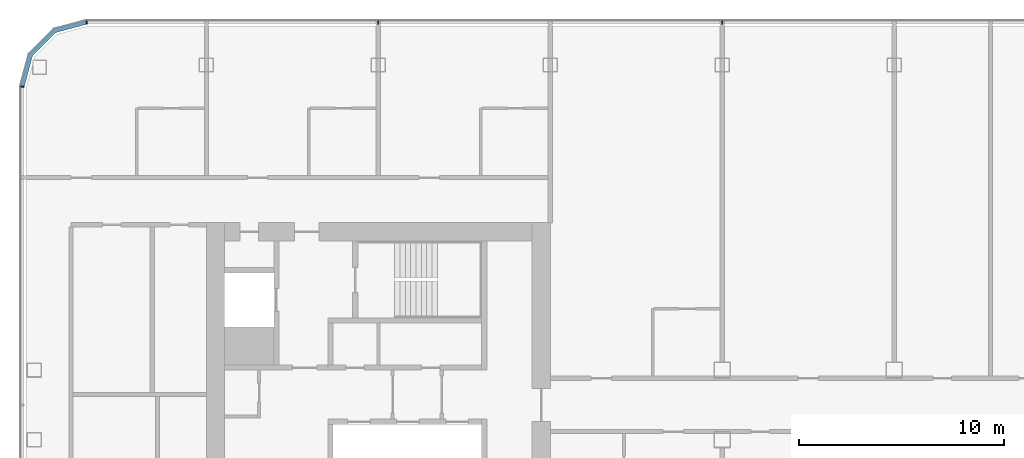
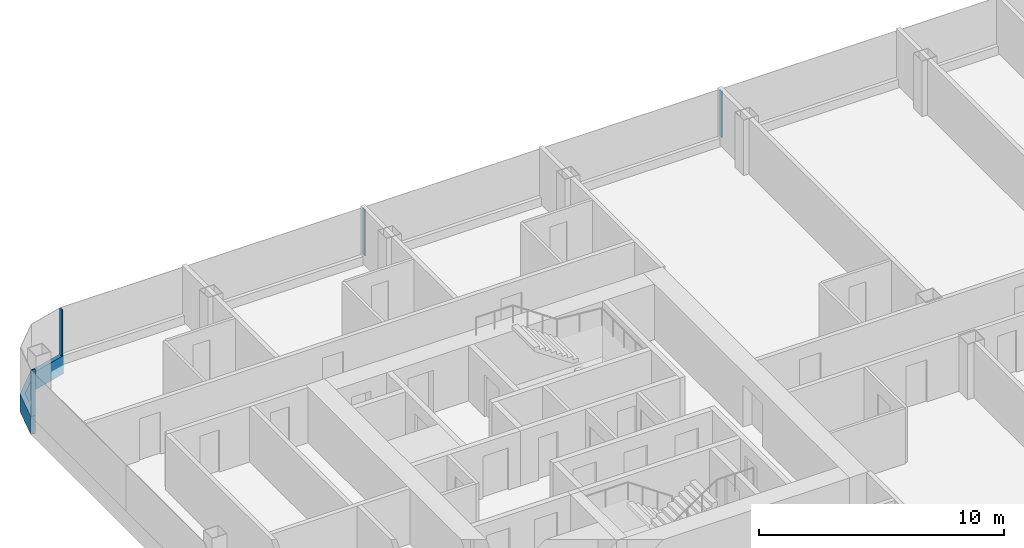
# One storey, part 6 of 25: 5 members, 3 elements without a shape of their own.
"""IFC4 building model written with IfcOpenShell, lengths in metres."""

import ifcopenshell
import ifcopenshell.guid

model = None  # the IFC model being written
_history = None  # IfcOwnerHistory: only IFC2X3 demands one
_inside = {}  # id of a spatial element -> (the spatial element, [elements in it])
_under = {}  # id of a project, library or spatial element -> (it, [spatial elements below it])
_declared = {}  # id of a project -> (the project, [libraries it declares])
_typed = {}  # id of a type object -> (the type object, [elements of that type])
_made_of = {}  # id of a material, layer set ... -> (it, [elements and type objects made of it])


def new_model(schema):
    """Start an empty IFC model of exactly this schema.

    Asked for "IFC4X3", IfcOpenShell would pick the latest addendum, in which some entities
    have other attributes; the version numbers below select the first issue.
    IFC2X3 requires an IfcOwnerHistory on every rooted entity: one is made here for all.
    """
    global model, _history
    if schema == "IFC4X3":
        model = ifcopenshell.file(schema_version=(4, 3, 0, 0))
    else:
        model = ifcopenshell.file(schema=schema)
    _inside.clear()
    _under.clear()
    _declared.clear()
    _typed.clear()
    _made_of.clear()
    _history = None
    if model.schema == "IFC2X3":
        org = make("IfcOrganization", Name="unknown")
        user = make(
            "IfcPersonAndOrganization",
            ThePerson=make("IfcPerson", FamilyName="unknown"),
            TheOrganization=org,
        )
        app = make(
            "IfcApplication",
            ApplicationDeveloper=org,
            Version="unknown",
            ApplicationFullName="unknown",
            ApplicationIdentifier="unknown",
        )
        _history = make(
            "IfcOwnerHistory",
            OwningUser=user,
            OwningApplication=app,
            ChangeAction="ADDED",
            CreationDate=0,
        )
    return model


def make(cls, **values):
    """One entity of the class cls with the attributes given. An attribute that is None is left unset."""
    return model.create_entity(
        cls, **{name: value for name, value in values.items() if value is not None}
    )


def rooted(cls, **values):
    """An entity with a GlobalId (a new one), such as an element, a storey or a relation."""
    return make(cls, GlobalId=ifcopenshell.guid.new(), OwnerHistory=_history, **values)


def si_unit(unit_type, name, prefix=None):
    """IfcSIUnit, for example si_unit("LENGTHUNIT", "METRE", prefix="MILLI")."""
    return make("IfcSIUnit", UnitType=unit_type, Prefix=prefix, Name=name)


def assignment(units):
    """IfcUnitAssignment: the units of a project."""
    return None if units is None else make("IfcUnitAssignment", Units=units)


def point(xyz):
    """IfcCartesianPoint."""
    return None if xyz is None else make("IfcCartesianPoint", Coordinates=xyz)


def direction(xyz):
    """IfcDirection."""
    return None if xyz is None else make("IfcDirection", DirectionRatios=xyz)


def frame(location, z_axis=None, x_axis=None):
    """IfcAxis2Placement3D, a coordinate frame: its origin and axes. An axis left out is left unset."""
    return make(
        "IfcAxis2Placement3D",
        Location=point(location),
        Axis=direction(z_axis),
        RefDirection=direction(x_axis),
    )


def frame_2d(location, x_axis=None):
    """IfcAxis2Placement2D, a coordinate frame in the plane: its origin and x axis."""
    return make(
        "IfcAxis2Placement2D", Location=point(location), RefDirection=direction(x_axis)
    )


def origin():
    """The frame at (0, 0, 0) with its axes left unset."""
    return frame((0.0, 0.0, 0.0))


def origin_2d():
    """The frame at (0, 0) in the plane with its x axis left unset."""
    return frame_2d((0.0, 0.0))


def place(relative_to, where):
    """IfcLocalPlacement: puts the frame where relative to a parent placement (None: the world)."""
    return make(
        "IfcLocalPlacement", PlacementRelTo=relative_to, RelativePlacement=where
    )


def context(
    kind, dimensions, precision=None, world=None, true_north=None, identifier=None
):
    """IfcGeometricRepresentationContext, for example the 3D "Model" context."""
    return make(
        "IfcGeometricRepresentationContext",
        ContextIdentifier=identifier,
        ContextType=kind,
        CoordinateSpaceDimension=dimensions,
        Precision=precision,
        WorldCoordinateSystem=world,
        TrueNorth=true_north,
    )


def subcontext(parent, identifier, kind, view, scale=None):
    """IfcGeometricRepresentationSubContext, for example "Body" below "Model"."""
    return make(
        "IfcGeometricRepresentationSubContext",
        ContextIdentifier=identifier,
        ContextType=kind,
        ParentContext=parent,
        TargetScale=scale,
        TargetView=view,
    )


def project(units=None, contexts=None):
    """IfcProject with its units and contexts."""
    return rooted(
        "IfcProject",
        Name="project",
        RepresentationContexts=contexts,
        UnitsInContext=assignment(units),
    )


def spatial(cls, under=None, at=None, **own):
    """A site, building, storey or space (cls), placed at a placement, below another one or the project."""
    s = rooted(cls, ObjectPlacement=at, **own)
    if under is not None:
        _under.setdefault(under.id(), (under, []))[1].append(s)
    return s


def polyline(points):
    """IfcPolyline through the points."""
    return make("IfcPolyline", Points=[point(p) for p in points])


def profile(cls, at=None, kind="AREA", **sizes):
    """A parametric profile (cls). Its sizes go by their IFC names, for example OverallWidth=200.0."""
    return make(cls, ProfileType=kind, Position=at, **sizes)


def rectangle(**sizes):
    """IfcRectangleProfileDef."""
    return profile("IfcRectangleProfileDef", **sizes)


def outline(outer, holes=None, kind="AREA"):
    """IfcArbitraryClosedProfileDef: a profile drawn as a closed curve; with holes, ...WithVoids."""
    if holes is None:
        return make("IfcArbitraryClosedProfileDef", ProfileType=kind, OuterCurve=outer)
    return make(
        "IfcArbitraryProfileDefWithVoids",
        ProfileType=kind,
        OuterCurve=outer,
        InnerCurves=holes,
    )


def extrude(swept, where, along, depth):
    """IfcExtrudedAreaSolid: the profile swept, set in the frame where, extruded along a direction by depth."""
    return make(
        "IfcExtrudedAreaSolid",
        SweptArea=swept,
        Position=where,
        ExtrudedDirection=direction(along),
        Depth=depth,
    )


def shape(context_of_items, identifier, shape_type, items):
    """IfcShapeRepresentation: the items that make up one representation, for example the "Body"."""
    return make(
        "IfcShapeRepresentation",
        ContextOfItems=context_of_items,
        RepresentationIdentifier=identifier,
        RepresentationType=shape_type,
        Items=items,
    )


def material(Name=None, Category=None):
    """IfcMaterial."""
    return make("IfcMaterial", Name=Name, Category=Category)


def layer(
    of_material, thickness, ventilated=None, Name=None, Category=None, Priority=None
):
    """IfcMaterialLayer: one layer of a wall or slab, of a material (None: an air gap)."""
    return make(
        "IfcMaterialLayer",
        Material=of_material,
        LayerThickness=thickness,
        IsVentilated=ventilated,
        Name=Name,
        Category=Category,
        Priority=Priority,
    )


def layer_set(layers, Name=None):
    """IfcMaterialLayerSet."""
    return make("IfcMaterialLayerSet", MaterialLayers=layers, LayerSetName=Name)


def material_profile(
    of_material, cross_section, Name=None, Category=None, Priority=None
):
    """IfcMaterialProfile: a cross section and its material."""
    return make(
        "IfcMaterialProfile",
        Name=Name,
        Material=of_material,
        Profile=cross_section,
        Priority=Priority,
        Category=Category,
    )


def profile_set(profiles, Name=None, composite=None):
    """IfcMaterialProfileSet."""
    return make(
        "IfcMaterialProfileSet",
        Name=Name,
        MaterialProfiles=profiles,
        CompositeProfile=composite,
    )


def made_of(thing, what):
    """Note that an element or type object is made of a material, layer set ...; save() writes the relation."""
    if what is not None:
        _made_of.setdefault(what.id(), (what, []))[1].append(thing)
    return thing


def type_object(cls, material=None, **own):
    """A type object (cls), such as IfcWallType, which elements share."""
    return made_of(rooted(cls, **own), material)


def element(
    cls,
    number,
    at=None,
    inside=None,
    cuts=None,
    type_object=None,
    material=None,
    context=None,
    identifier="Body",
    shape_type=None,
    held_by="IfcProductDefinitionShape",
    body=None,
    shapes=None,
    **own,
):
    """One element of the class cls, such as IfcWall. Its Tag is "e" and its number.

    at: its placement. inside: the storey or other place that contains it. cuts: it is an
    opening in that element (IfcRelVoidsElement). A single representation is given by context,
    identifier, shape_type and body (its items); several are given by shapes. held_by: the class
    of the entity that holds the representations. save() writes the other relations.
    """
    e = rooted(cls, Tag="e%d" % number, ObjectPlacement=at, **own)
    if body is not None:
        shapes = [shape(context, identifier, shape_type, body)]
    if shapes is not None:
        e.Representation = make(held_by, Representations=shapes)
    if inside is not None:
        _inside.setdefault(inside.id(), (inside, []))[1].append(e)
    if cuts is not None:
        rooted(
            "IfcRelVoidsElement", RelatingBuildingElement=cuts, RelatedOpeningElement=e
        )
    if type_object is not None:
        _typed.setdefault(type_object.id(), (type_object, []))[1].append(e)
    return made_of(e, material)


def aggregate(whole, parts):
    """IfcRelAggregates: a whole, such as a stair, and the parts it consists of."""
    return rooted("IfcRelAggregates", RelatingObject=whole, RelatedObjects=parts)


def save(model, path):
    """Write the relations noted so far, then the file.

    IfcRelAggregates (storeys below a building ...), IfcRelContainedInSpatialStructure (elements
    in a storey), IfcRelDefinesByType, IfcRelAssociatesMaterial and IfcRelDeclares: one each for
    every whole, place, type object, material and project.
    """
    for whole, parts in _under.values():
        aggregate(whole, parts)
    for where, things in _inside.values():
        rooted(
            "IfcRelContainedInSpatialStructure",
            RelatedElements=things,
            RelatingStructure=where,
        )
    for kind, things in _typed.values():
        rooted("IfcRelDefinesByType", RelatedObjects=things, RelatingType=kind)
    for what, things in _made_of.values():
        rooted("IfcRelAssociatesMaterial", RelatedObjects=things, RelatingMaterial=what)
    for by, libraries in _declared.values():
        rooted("IfcRelDeclares", RelatingContext=by, RelatedDefinitions=libraries)
    model.write(path)


model = new_model("IFC4")

# Units and contexts
model_context = context("Model", 3, precision=1e-05, world=origin(), true_north=direction((0.0, 1.0)))
body_context = subcontext(model_context, "Body", "Model", "MODEL_VIEW")
ifc_project = project(units=[si_unit("LENGTHUNIT", "METRE"), si_unit("AREAUNIT", "SQUARE_METRE"), si_unit("VOLUMEUNIT", "CUBIC_METRE"), si_unit("PLANEANGLEUNIT", "RADIAN"), si_unit("MASSUNIT", "GRAM", prefix="KILO")], contexts=[model_context])

# Site, building, storey
site_placement = place(None, origin())
site = spatial("IfcSite", under=ifc_project, at=site_placement, CompositionType="ELEMENT")
building_placement = place(site_placement, origin())
building = spatial("IfcBuilding", under=site, at=building_placement, Name="Hakoniwa Tower and Hamabe Station Hall", CompositionType="ELEMENT")
storey_placement = place(building_placement, frame((0.0, 0.0, 147.0)))
storey = spatial("IfcBuildingStorey", under=building, at=storey_placement, Name="L41", CompositionType="ELEMENT", Elevation=147.0)

# Curtain wall, member
ifc_material_1 = material(Name="Dark low-e laminated glass", Category="glass")
ifc_layer = layer(ifc_material_1, 0.199951171875)
ifc_layer_set = layer_set([ifc_layer], Name="CW-1 UNITISED GUEST")
curtain_wall_type = type_object("IfcCurtainWallType", Name="CW-1 UNITISED GUEST", PredefinedType="NOTDEFINED", material=ifc_layer_set)
curtain_wall_1_placement = place(storey_placement, origin())
curtain_wall_1 = element("IfcCurtainWall", 1, at=curtain_wall_1_placement, inside=storey, type_object=curtain_wall_type, Name="CW-1 curtain wall", PredefinedType="NOTDEFINED")
ifc_material_2 = material(Name="Aluminium 6063-T5 black anodised", Category="aluminium")
ifc_material_profile_1 = material_profile(ifc_material_2, rectangle(XDim=0.199951171875, YDim=0.89990234375, at=origin_2d()), Name="CW SLAB-EDGE BAND 900X200")
ifc_profile_set_1 = profile_set([ifc_material_profile_1], Name="Aluminium 6063-T5 black anodised")
member_type_1 = type_object("IfcMemberType", Name="CW SLAB-EDGE BAND 900X200", PredefinedType="USERDEFINED", material=ifc_profile_set_1)
member_1_placement = place(storey_placement, frame((0.0, 0.0, -0.550048828125)))
member_1 = element("IfcMember", 2, at=member_1_placement, type_object=member_type_1, Name="CW-1 transom", ObjectType="TRANSOM", PredefinedType="USERDEFINED", context=body_context, shape_type="SweptSolid", body=[
    extrude(outline(polyline([(-39.439453125, 18.300048828125), (-41.05517578125, 17.866943359375), (-42.26708984375, 16.6552734375), (-42.699951171875, 15.03955078125), (-42.5068359375, 14.98779296875), (-42.087646484375, 16.5517578125), (-40.95166015625, 17.687744140625), (-39.3876953125, 18.10693359375), (-39.439453125, 18.300048828125)])), origin(), (0.0, 0.0, 1.0), 0.900146484375),
])
aggregate(curtain_wall_1, [member_1])

# Curtain wall, members
curtain_wall_2_placement = place(storey_placement, origin())
curtain_wall_2 = element("IfcCurtainWall", 3, at=curtain_wall_2_placement, inside=storey, type_object=curtain_wall_type, Name="CW-1 curtain wall", PredefinedType="NOTDEFINED")
ifc_material_3 = material(Name="Aluminium 6063-T5 black anodised", Category="aluminium")
ifc_material_profile_2 = material_profile(ifc_material_3, rectangle(XDim=0.06005859375, YDim=0.179931640625, at=origin_2d()), Name="CW-1 MULLION 60X180")
ifc_profile_set_2 = profile_set([ifc_material_profile_2], Name="Aluminium 6063-T5 black anodised")
member_type_2 = type_object("IfcMemberType", Name="CW-1 MULLION 60X180", PredefinedType="MULLION", material=ifc_profile_set_2)
member_2_placement = place(storey_placement, frame((-8.39990234375, 18.181884765625, 0.35009765625), z_axis=(0.0, 0.0, 1.0), x_axis=(-1.0, 0.0, 0.0)))
member_2 = element("IfcMember", 4, at=member_2_placement, type_object=member_type_2, Name="CW-1 mullion", PredefinedType="MULLION", context=body_context, shape_type="SweptSolid", body=[
    extrude(rectangle(XDim=0.06005859375, YDim=0.179931640625, at=origin_2d()), origin(), (0.0, 0.0, 1.0), 2.2998046875),
])
member_3_placement = place(storey_placement, frame((-25.199951171875, 18.181884765625, 0.35009765625), z_axis=(0.0, 0.0, 1.0), x_axis=(-1.0, 0.0, 0.0)))
member_3 = element("IfcMember", 5, at=member_3_placement, type_object=member_type_2, Name="CW-1 mullion", PredefinedType="MULLION", context=body_context, shape_type="SweptSolid", body=[
    extrude(rectangle(XDim=0.06005859375, YDim=0.179931640625, at=origin_2d()), origin(), (0.0, 0.0, 1.0), 2.2998046875),
])
member_4_placement = place(storey_placement, frame((-39.439453125, 18.181884765625, 0.35009765625), z_axis=(0.0, 0.0, 1.0), x_axis=(-1.0, 0.0, 0.0)))
member_4 = element("IfcMember", 6, at=member_4_placement, type_object=member_type_2, Name="CW-1 mullion", PredefinedType="MULLION", context=body_context, shape_type="SweptSolid", body=[
    extrude(rectangle(XDim=0.06005859375, YDim=0.179931640625, at=origin_2d()), origin(), (0.0, 0.0, 1.0), 2.2998046875),
])
aggregate(curtain_wall_2, [member_2, member_3, member_4])

# Curtain wall, member
curtain_wall_3_placement = place(storey_placement, origin())
curtain_wall_3 = element("IfcCurtainWall", 7, at=curtain_wall_3_placement, inside=storey, type_object=curtain_wall_type, Name="CW-1 curtain wall", PredefinedType="NOTDEFINED")
member_5_placement = place(storey_placement, frame((-42.58203125, 15.03955078125, 0.35009765625), z_axis=(0.0, 0.0, 1.0), x_axis=(0.0, -1.0, 0.0)))
member_5 = element("IfcMember", 8, at=member_5_placement, type_object=member_type_2, Name="CW-1 mullion", PredefinedType="MULLION", context=body_context, shape_type="SweptSolid", body=[
    extrude(rectangle(XDim=0.06005859375, YDim=0.179931640625, at=origin_2d()), origin(), (0.0, 0.0, 1.0), 2.2998046875),
])
aggregate(curtain_wall_3, [member_5])

save(model, "model.ifc")
